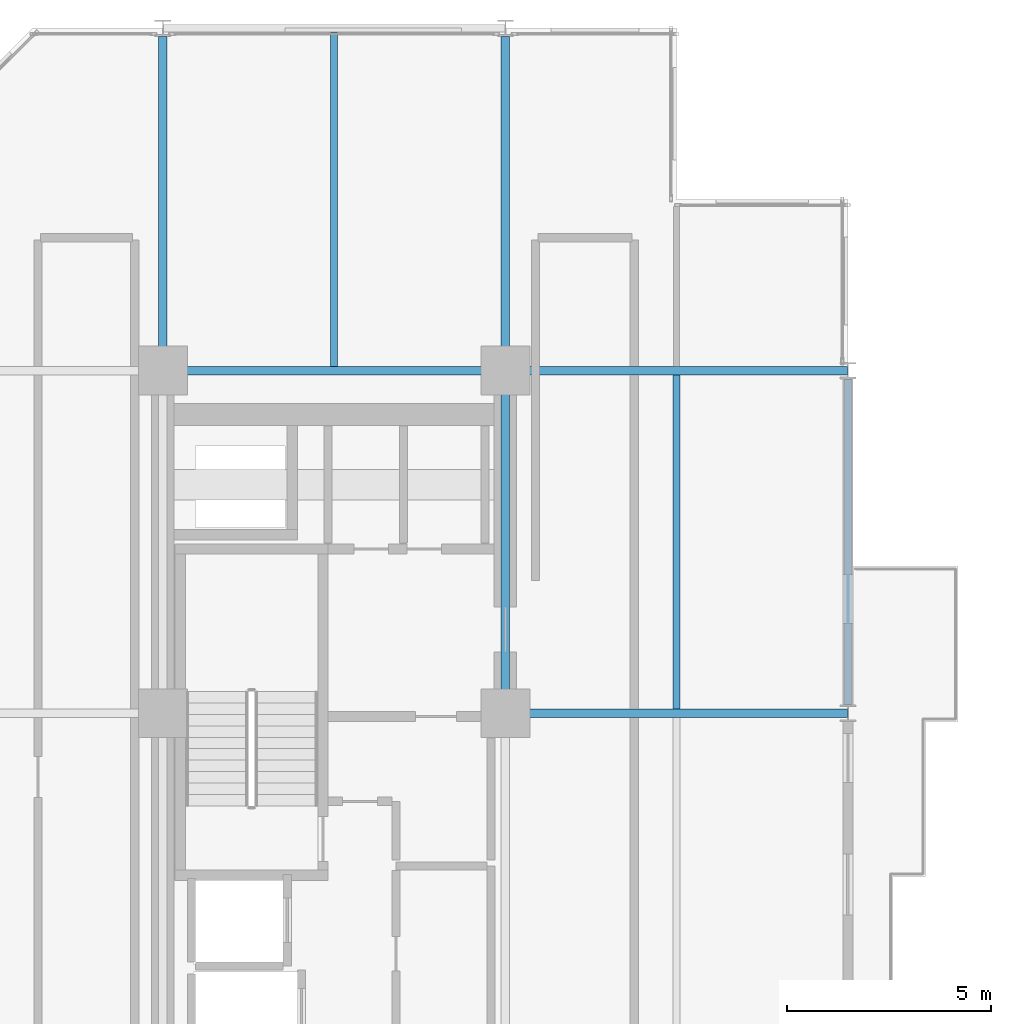
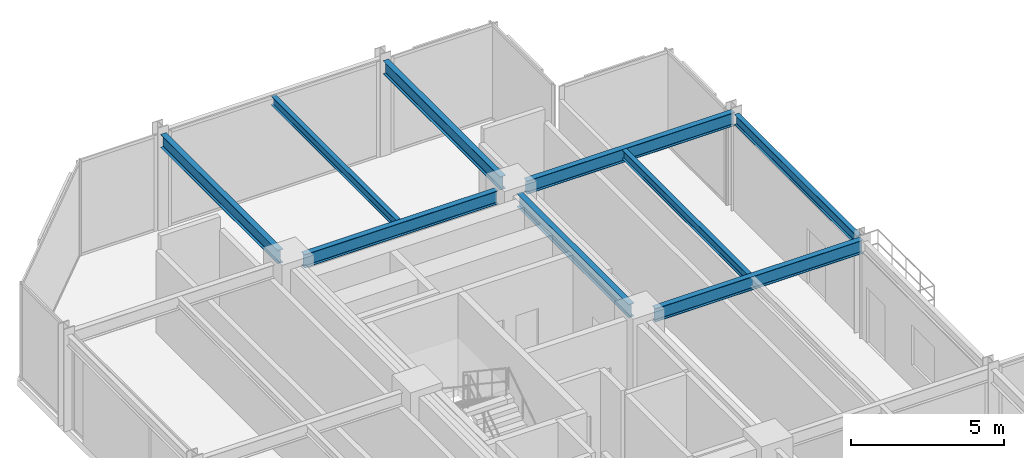
# One storey, part 19 of 29: 9 beams.
"""IFC4 building model written with IfcOpenShell, lengths in metres."""

import ifcopenshell
import ifcopenshell.guid

model = None  # the IFC model being written
_history = None  # IfcOwnerHistory: only IFC2X3 demands one
_inside = {}  # id of a spatial element -> (the spatial element, [elements in it])
_under = {}  # id of a project, library or spatial element -> (it, [spatial elements below it])
_declared = {}  # id of a project -> (the project, [libraries it declares])
_typed = {}  # id of a type object -> (the type object, [elements of that type])
_made_of = {}  # id of a material, layer set ... -> (it, [elements and type objects made of it])


def new_model(schema):
    """Start an empty IFC model of exactly this schema.

    Asked for "IFC4X3", IfcOpenShell would pick the latest addendum, in which some entities
    have other attributes; the version numbers below select the first issue.
    IFC2X3 requires an IfcOwnerHistory on every rooted entity: one is made here for all.
    """
    global model, _history
    if schema == "IFC4X3":
        model = ifcopenshell.file(schema_version=(4, 3, 0, 0))
    else:
        model = ifcopenshell.file(schema=schema)
    _inside.clear()
    _under.clear()
    _declared.clear()
    _typed.clear()
    _made_of.clear()
    _history = None
    if model.schema == "IFC2X3":
        org = make("IfcOrganization", Name="unknown")
        user = make(
            "IfcPersonAndOrganization",
            ThePerson=make("IfcPerson", FamilyName="unknown"),
            TheOrganization=org,
        )
        app = make(
            "IfcApplication",
            ApplicationDeveloper=org,
            Version="unknown",
            ApplicationFullName="unknown",
            ApplicationIdentifier="unknown",
        )
        _history = make(
            "IfcOwnerHistory",
            OwningUser=user,
            OwningApplication=app,
            ChangeAction="ADDED",
            CreationDate=0,
        )
    return model


def make(cls, **values):
    """One entity of the class cls with the attributes given. An attribute that is None is left unset."""
    return model.create_entity(
        cls, **{name: value for name, value in values.items() if value is not None}
    )


def rooted(cls, **values):
    """An entity with a GlobalId (a new one), such as an element, a storey or a relation."""
    return make(cls, GlobalId=ifcopenshell.guid.new(), OwnerHistory=_history, **values)


def si_unit(unit_type, name, prefix=None):
    """IfcSIUnit, for example si_unit("LENGTHUNIT", "METRE", prefix="MILLI")."""
    return make("IfcSIUnit", UnitType=unit_type, Prefix=prefix, Name=name)


def assignment(units):
    """IfcUnitAssignment: the units of a project."""
    return None if units is None else make("IfcUnitAssignment", Units=units)


def point(xyz):
    """IfcCartesianPoint."""
    return None if xyz is None else make("IfcCartesianPoint", Coordinates=xyz)


def direction(xyz):
    """IfcDirection."""
    return None if xyz is None else make("IfcDirection", DirectionRatios=xyz)


def frame(location, z_axis=None, x_axis=None):
    """IfcAxis2Placement3D, a coordinate frame: its origin and axes. An axis left out is left unset."""
    return make(
        "IfcAxis2Placement3D",
        Location=point(location),
        Axis=direction(z_axis),
        RefDirection=direction(x_axis),
    )


def frame_2d(location, x_axis=None):
    """IfcAxis2Placement2D, a coordinate frame in the plane: its origin and x axis."""
    return make(
        "IfcAxis2Placement2D", Location=point(location), RefDirection=direction(x_axis)
    )


def origin():
    """The frame at (0, 0, 0) with its axes left unset."""
    return frame((0.0, 0.0, 0.0))


def origin_2d():
    """The frame at (0, 0) in the plane with its x axis left unset."""
    return frame_2d((0.0, 0.0))


def place(relative_to, where):
    """IfcLocalPlacement: puts the frame where relative to a parent placement (None: the world)."""
    return make(
        "IfcLocalPlacement", PlacementRelTo=relative_to, RelativePlacement=where
    )


def context(
    kind, dimensions, precision=None, world=None, true_north=None, identifier=None
):
    """IfcGeometricRepresentationContext, for example the 3D "Model" context."""
    return make(
        "IfcGeometricRepresentationContext",
        ContextIdentifier=identifier,
        ContextType=kind,
        CoordinateSpaceDimension=dimensions,
        Precision=precision,
        WorldCoordinateSystem=world,
        TrueNorth=true_north,
    )


def subcontext(parent, identifier, kind, view, scale=None):
    """IfcGeometricRepresentationSubContext, for example "Body" below "Model"."""
    return make(
        "IfcGeometricRepresentationSubContext",
        ContextIdentifier=identifier,
        ContextType=kind,
        ParentContext=parent,
        TargetScale=scale,
        TargetView=view,
    )


def project(units=None, contexts=None):
    """IfcProject with its units and contexts."""
    return rooted(
        "IfcProject",
        Name="project",
        RepresentationContexts=contexts,
        UnitsInContext=assignment(units),
    )


def spatial(cls, under=None, at=None, **own):
    """A site, building, storey or space (cls), placed at a placement, below another one or the project."""
    s = rooted(cls, ObjectPlacement=at, **own)
    if under is not None:
        _under.setdefault(under.id(), (under, []))[1].append(s)
    return s


def profile(cls, at=None, kind="AREA", **sizes):
    """A parametric profile (cls). Its sizes go by their IFC names, for example OverallWidth=200.0."""
    return make(cls, ProfileType=kind, Position=at, **sizes)


def i_section(**sizes):
    """IfcIShapeProfileDef."""
    return profile("IfcIShapeProfileDef", **sizes)


def extrude(swept, where, along, depth):
    """IfcExtrudedAreaSolid: the profile swept, set in the frame where, extruded along a direction by depth."""
    return make(
        "IfcExtrudedAreaSolid",
        SweptArea=swept,
        Position=where,
        ExtrudedDirection=direction(along),
        Depth=depth,
    )


def shape(context_of_items, identifier, shape_type, items):
    """IfcShapeRepresentation: the items that make up one representation, for example the "Body"."""
    return make(
        "IfcShapeRepresentation",
        ContextOfItems=context_of_items,
        RepresentationIdentifier=identifier,
        RepresentationType=shape_type,
        Items=items,
    )


def material(Name=None, Category=None):
    """IfcMaterial."""
    return make("IfcMaterial", Name=Name, Category=Category)


def material_profile(
    of_material, cross_section, Name=None, Category=None, Priority=None
):
    """IfcMaterialProfile: a cross section and its material."""
    return make(
        "IfcMaterialProfile",
        Name=Name,
        Material=of_material,
        Profile=cross_section,
        Priority=Priority,
        Category=Category,
    )


def profile_set(profiles, Name=None, composite=None):
    """IfcMaterialProfileSet."""
    return make(
        "IfcMaterialProfileSet",
        Name=Name,
        MaterialProfiles=profiles,
        CompositeProfile=composite,
    )


def made_of(thing, what):
    """Note that an element or type object is made of a material, layer set ...; save() writes the relation."""
    if what is not None:
        _made_of.setdefault(what.id(), (what, []))[1].append(thing)
    return thing


def type_object(cls, material=None, **own):
    """A type object (cls), such as IfcWallType, which elements share."""
    return made_of(rooted(cls, **own), material)


def element(
    cls,
    number,
    at=None,
    inside=None,
    cuts=None,
    type_object=None,
    material=None,
    context=None,
    identifier="Body",
    shape_type=None,
    held_by="IfcProductDefinitionShape",
    body=None,
    shapes=None,
    **own,
):
    """One element of the class cls, such as IfcWall. Its Tag is "e" and its number.

    at: its placement. inside: the storey or other place that contains it. cuts: it is an
    opening in that element (IfcRelVoidsElement). A single representation is given by context,
    identifier, shape_type and body (its items); several are given by shapes. held_by: the class
    of the entity that holds the representations. save() writes the other relations.
    """
    e = rooted(cls, Tag="e%d" % number, ObjectPlacement=at, **own)
    if body is not None:
        shapes = [shape(context, identifier, shape_type, body)]
    if shapes is not None:
        e.Representation = make(held_by, Representations=shapes)
    if inside is not None:
        _inside.setdefault(inside.id(), (inside, []))[1].append(e)
    if cuts is not None:
        rooted(
            "IfcRelVoidsElement", RelatingBuildingElement=cuts, RelatedOpeningElement=e
        )
    if type_object is not None:
        _typed.setdefault(type_object.id(), (type_object, []))[1].append(e)
    return made_of(e, material)


def aggregate(whole, parts):
    """IfcRelAggregates: a whole, such as a stair, and the parts it consists of."""
    return rooted("IfcRelAggregates", RelatingObject=whole, RelatedObjects=parts)


def save(model, path):
    """Write the relations noted so far, then the file.

    IfcRelAggregates (storeys below a building ...), IfcRelContainedInSpatialStructure (elements
    in a storey), IfcRelDefinesByType, IfcRelAssociatesMaterial and IfcRelDeclares: one each for
    every whole, place, type object, material and project.
    """
    for whole, parts in _under.values():
        aggregate(whole, parts)
    for where, things in _inside.values():
        rooted(
            "IfcRelContainedInSpatialStructure",
            RelatedElements=things,
            RelatingStructure=where,
        )
    for kind, things in _typed.values():
        rooted("IfcRelDefinesByType", RelatedObjects=things, RelatingType=kind)
    for what, things in _made_of.values():
        rooted("IfcRelAssociatesMaterial", RelatedObjects=things, RelatingMaterial=what)
    for by, libraries in _declared.values():
        rooted("IfcRelDeclares", RelatingContext=by, RelatedDefinitions=libraries)
    model.write(path)


model = new_model("IFC4")

# Units and contexts
model_context = context("Model", 3, precision=1e-05, world=origin(), true_north=direction((0.0, 1.0)))
body_context = subcontext(model_context, "Body", "Model", "MODEL_VIEW")
ifc_project = project(units=[si_unit("LENGTHUNIT", "METRE"), si_unit("AREAUNIT", "SQUARE_METRE"), si_unit("VOLUMEUNIT", "CUBIC_METRE"), si_unit("PLANEANGLEUNIT", "RADIAN"), si_unit("MASSUNIT", "GRAM", prefix="KILO")], contexts=[model_context])

# Site, building, storey
site_placement = place(None, origin())
site = spatial("IfcSite", under=ifc_project, at=site_placement, CompositionType="ELEMENT")
building_placement = place(site_placement, origin())
building = spatial("IfcBuilding", under=site, at=building_placement, Name="Nerrivon Quay Data Exchange", CompositionType="ELEMENT")
storey_placement = place(building_placement, frame((0.0, 0.0, 121.300048828125)))
storey = spatial("IfcBuildingStorey", under=building, at=storey_placement, Name="L28", CompositionType="ELEMENT", Elevation=121.300048828125)

# Beams
ifc_material = material(Name="Steel Grade 350", Category="steel")
ifc_material_profile_1 = material_profile(ifc_material, i_section(OverallWidth=0.208984375, OverallDepth=0.532958984375, WebThickness=0.01025390625, FlangeThickness=0.015625, FilletRadius=0.013916015625, at=origin_2d()), Name="530UB92.4")
ifc_profile_set_1 = profile_set([ifc_material_profile_1], Name="Steel Grade 350")
beam_type_1 = type_object("IfcBeamType", Name="BM-G3-530UB92", PredefinedType="BEAM", material=ifc_profile_set_1)
beam_1_placement = place(storey_placement, frame((17.340087890625, 33.60009765625, 3.558349609375), z_axis=(1.0, 0.0, 0.0), x_axis=(0.0, 1.0, 0.0)))
element("IfcBeam", 1, at=beam_1_placement, inside=storey, type_object=beam_type_1, Name="L28 EW Girder Y=33.6 (16.8..25.2)", PredefinedType="BEAM", context=body_context, shape_type="SweptSolid", body=[
    extrude(i_section(OverallWidth=0.208984375, OverallDepth=0.532958984375, WebThickness=0.01025390625, FlangeThickness=0.015625, FilletRadius=0.013916015625, at=origin_2d()), origin(), (0.0, 0.0, 1.0), 7.847412109375),
])
beam_2_placement = place(storey_placement, frame((8.93994140625, 42.0, 3.558349609375), z_axis=(1.0, 0.0, 0.0), x_axis=(0.0, 1.0, 0.0)))
element("IfcBeam", 2, at=beam_2_placement, inside=storey, type_object=beam_type_1, Name="L28 EW Girder Y=42.0 (8.4..16.8)", PredefinedType="BEAM", context=body_context, shape_type="SweptSolid", body=[
    extrude(i_section(OverallWidth=0.208984375, OverallDepth=0.532958984375, WebThickness=0.01025390625, FlangeThickness=0.015625, FilletRadius=0.013916015625, at=origin_2d()), origin(), (0.0, 0.0, 1.0), 7.320068359375),
])
beam_3_placement = place(storey_placement, frame((17.340087890625, 42.0, 3.558349609375), z_axis=(1.0, 0.0, 0.0), x_axis=(0.0, 1.0, 0.0)))
element("IfcBeam", 3, at=beam_3_placement, inside=storey, type_object=beam_type_1, Name="L28 EW Girder Y=42.0 (16.8..25.2)", PredefinedType="BEAM", context=body_context, shape_type="SweptSolid", body=[
    extrude(i_section(OverallWidth=0.208984375, OverallDepth=0.532958984375, WebThickness=0.01025390625, FlangeThickness=0.015625, FilletRadius=0.013916015625, at=origin_2d()), origin(), (0.0, 0.0, 1.0), 7.847412109375),
])
ifc_material_profile_2 = material_profile(ifc_material, i_section(OverallWidth=0.208984375, OverallDepth=0.528076171875, WebThickness=0.009521484375, FlangeThickness=0.01318359375, FilletRadius=0.013916015625, at=origin_2d()), Name="530UB82.0")
ifc_profile_set_2 = profile_set([ifc_material_profile_2], Name="Steel Grade 350")
beam_type_2 = type_object("IfcBeamType", Name="BM-G4-530UB82", PredefinedType="BEAM", material=ifc_profile_set_2)
beam_4_placement = place(storey_placement, frame((8.39990234375, 42.5400390625, 3.56103515625), z_axis=(0.0, 1.0, 0.0), x_axis=(-1.0, 0.0, 0.0)))
element("IfcBeam", 4, at=beam_4_placement, inside=storey, type_object=beam_type_2, Name="L28 NS Girder X=8.4 (42.0..50.4)", PredefinedType="BEAM", context=body_context, shape_type="SweptSolid", body=[
    extrude(i_section(OverallWidth=0.208984375, OverallDepth=0.528076171875, WebThickness=0.009521484375, FlangeThickness=0.01318359375, FilletRadius=0.013916015625, at=origin_2d()), origin(), (0.0, 0.0, 1.0), 7.659912109375),
])
beam_5_placement = place(storey_placement, frame((16.800048828125, 34.139892578125, 3.56103515625), z_axis=(0.0, 1.0, 0.0), x_axis=(-1.0, 0.0, 0.0)))
element("IfcBeam", 5, at=beam_5_placement, inside=storey, type_object=beam_type_2, Name="L28 NS Girder X=16.8 (33.6..42.0)", PredefinedType="BEAM", context=body_context, shape_type="SweptSolid", body=[
    extrude(i_section(OverallWidth=0.208984375, OverallDepth=0.528076171875, WebThickness=0.009521484375, FlangeThickness=0.01318359375, FilletRadius=0.013916015625, at=origin_2d()), origin(), (0.0, 0.0, 1.0), 7.320068359375),
])
beam_6_placement = place(storey_placement, frame((16.800048828125, 42.5400390625, 3.56103515625), z_axis=(0.0, 1.0, 0.0), x_axis=(-1.0, 0.0, 0.0)))
element("IfcBeam", 6, at=beam_6_placement, inside=storey, type_object=beam_type_2, Name="L28 NS Girder X=16.8 (42.0..50.4)", PredefinedType="BEAM", context=body_context, shape_type="SweptSolid", body=[
    extrude(i_section(OverallWidth=0.208984375, OverallDepth=0.528076171875, WebThickness=0.009521484375, FlangeThickness=0.01318359375, FilletRadius=0.013916015625, at=origin_2d()), origin(), (0.0, 0.0, 1.0), 7.659912109375),
])
ifc_material_profile_3 = material_profile(ifc_material, i_section(OverallWidth=0.1708984375, OverallDepth=0.35595703125, WebThickness=0.00732421875, FlangeThickness=0.011474609375, FilletRadius=0.011474609375, at=origin_2d()), Name="360UB50.7")
ifc_profile_set_3 = profile_set([ifc_material_profile_3], Name="Steel Grade 350")
beam_type_3 = type_object("IfcBeamType", Name="BM-J4-360UB51", PredefinedType="JOIST", material=ifc_profile_set_3)
beam_7_placement = place(storey_placement, frame((12.60009765625, 42.1044921875, 3.64697265625), z_axis=(0.0, 1.0, 0.0), x_axis=(-1.0, 0.0, 0.0)))
element("IfcBeam", 7, at=beam_7_placement, inside=storey, type_object=beam_type_3, Name="L28 Secondary Joist X=12.6 (42.0..50.4)", PredefinedType="JOIST", context=body_context, shape_type="SweptSolid", body=[
    extrude(i_section(OverallWidth=0.1708984375, OverallDepth=0.35595703125, WebThickness=0.00732421875, FlangeThickness=0.011474609375, FilletRadius=0.011474609375, at=origin_2d()), origin(), (0.0, 0.0, 1.0), 8.20654296875),
])
beam_8_placement = place(storey_placement, frame((21.0, 33.70458984375, 3.64697265625), z_axis=(0.0, 1.0, 0.0), x_axis=(-1.0, 0.0, 0.0)))
element("IfcBeam", 8, at=beam_8_placement, inside=storey, type_object=beam_type_3, Name="L28 Secondary Joist X=21.0 (33.6..42.0)", PredefinedType="JOIST", context=body_context, shape_type="SweptSolid", body=[
    extrude(i_section(OverallWidth=0.1708984375, OverallDepth=0.35595703125, WebThickness=0.00732421875, FlangeThickness=0.011474609375, FilletRadius=0.011474609375, at=origin_2d()), origin(), (0.0, 0.0, 1.0), 8.19091796875),
])
ifc_material_profile_4 = material_profile(ifc_material, i_section(OverallWidth=0.177978515625, OverallDepth=0.403076171875, WebThickness=0.007568359375, FlangeThickness=0.010986328125, FilletRadius=0.011474609375, at=origin_2d()), Name="410UB53.7")
ifc_profile_set_4 = profile_set([ifc_material_profile_4], Name="Steel Grade 350")
beam_type_4 = type_object("IfcBeamType", Name="BM-SP2-410UB54", PredefinedType="SPANDREL", material=ifc_profile_set_4)
beam_9_placement = place(storey_placement, frame((25.199951171875, 33.800048828125, 3.62353515625), z_axis=(0.0, 1.0, 0.0), x_axis=(-1.0, 0.0, 0.0)))
element("IfcBeam", 9, at=beam_9_placement, inside=storey, type_object=beam_type_4, Name="L28 NS Girder X=25.2 (33.6..42.0)", PredefinedType="SPANDREL", context=body_context, shape_type="SweptSolid", body=[
    extrude(i_section(OverallWidth=0.177978515625, OverallDepth=0.403076171875, WebThickness=0.007568359375, FlangeThickness=0.010986328125, FilletRadius=0.011474609375, at=origin_2d()), origin(), (0.0, 0.0, 1.0), 8.0),
])

save(model, "model.ifc")
